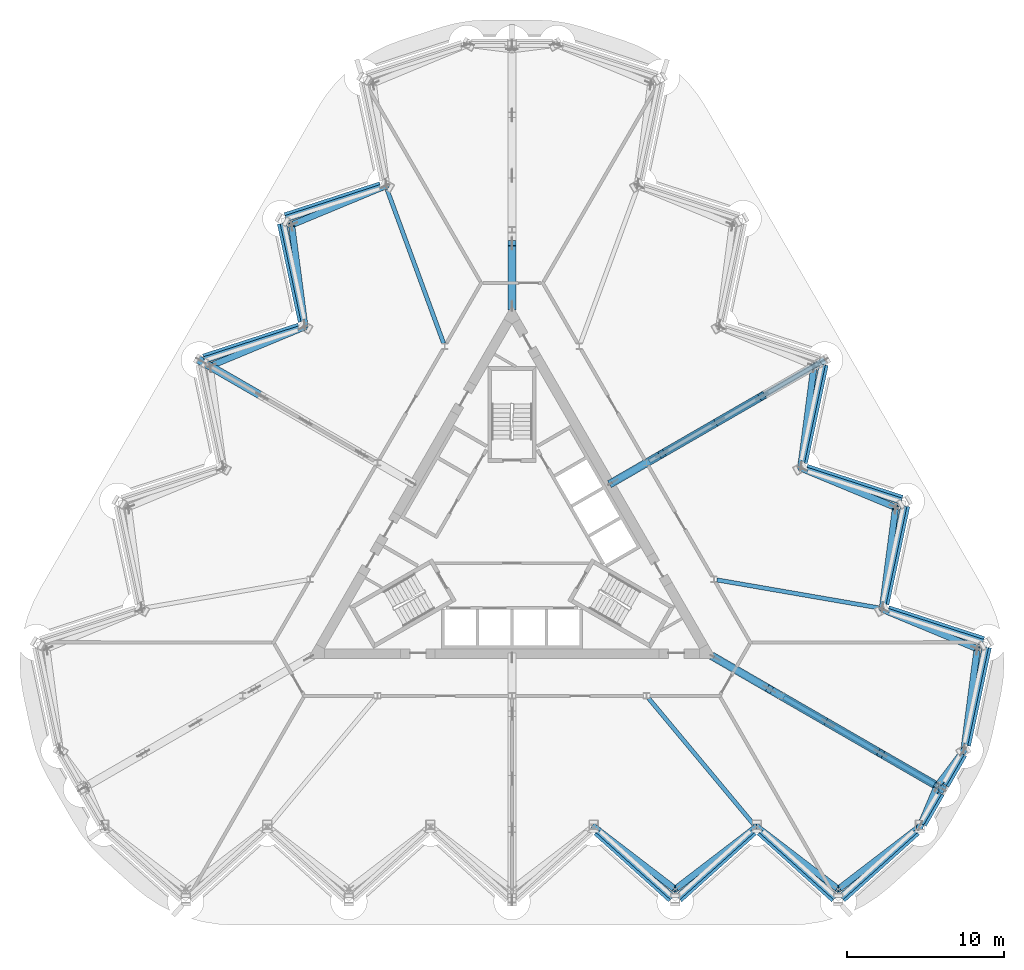
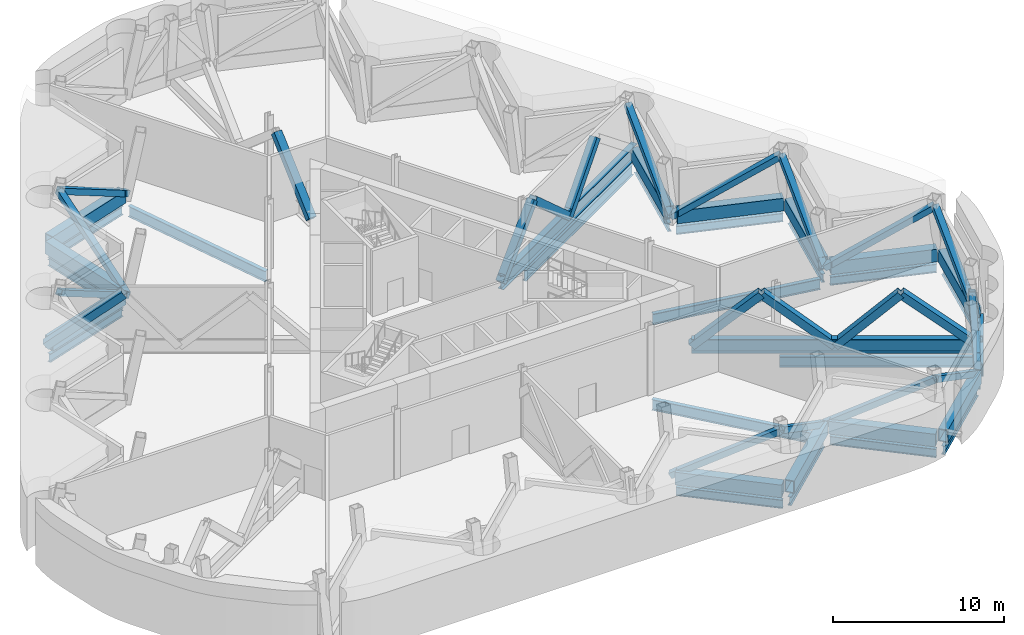
# One storey, part 5 of 16: 39 members, 19 beams.
"""IFC4 building model written with IfcOpenShell, lengths in metres."""

from ifc_helpers import new_model, si_unit, direction, frame, origin, origin_2d, place, context, subcontext, project, spatial, hollow_rectangle, i_section, extrude, material, material_profile, profile_set, type_object, element, save


model = new_model("IFC4")

# Units and contexts
model_context = context("Model", 3, precision=1e-05, world=origin(), true_north=direction((0.0, 1.0)))
body_context = subcontext(model_context, "Body", "Model", "MODEL_VIEW")
ifc_project = project(units=[si_unit("LENGTHUNIT", "METRE"), si_unit("AREAUNIT", "SQUARE_METRE"), si_unit("VOLUMEUNIT", "CUBIC_METRE"), si_unit("PLANEANGLEUNIT", "RADIAN"), si_unit("MASSUNIT", "GRAM", prefix="KILO")], contexts=[model_context])

# Site, building, storey
site_placement = place(None, origin())
site = spatial("IfcSite", under=ifc_project, at=site_placement, CompositionType="ELEMENT")
building_placement = place(site_placement, origin())
building = spatial("IfcBuilding", under=site, at=building_placement, Name="Cormorant Prow Tower", CompositionType="ELEMENT")
storey_placement = place(building_placement, frame((0.0, 0.0, 356.0)))
storey = spatial("IfcBuildingStorey", under=building, at=storey_placement, Name="L79", CompositionType="ELEMENT", Elevation=356.0)

# Members
ifc_material_1 = material(Name="Structural steel ASTM A572 Gr 50", Category="steel")
ifc_material_profile_1 = material_profile(ifc_material_1, hollow_rectangle(XDim=0.60009765625, YDim=0.89990234375, WallThickness=0.06005859375, at=origin_2d()), Name="Box 900x600x60")
ifc_profile_set_1 = profile_set([ifc_material_profile_1], Name="Structural steel ASTM A572 Gr 50")
member_type_1 = type_object("IfcMemberType", Name="Belt truss bottom chord 900x600x60", PredefinedType="CHORD", material=ifc_profile_set_1)
for number, where, z_axis, x_axis, name in (
    (1, (5.422119140625, -18.527587890625, 0.449951171875), (0.743144186555, -0.669131315954, 0.0), (0.669131315954, 0.743144186555, 0.0), "Belt truss bottom chord S06-S07 L79"),
    (2, (10.62109375, -22.807373046875, 0.449951171875), (0.743144186555, 0.669131315954, 0.0), (-0.669131315954, 0.743144186555, 0.0), "Belt truss bottom chord S07-S08 L79"),
):
    element("IfcMember", number, at=place(storey_placement, frame(where, z_axis=z_axis, x_axis=x_axis)), inside=storey, type_object=member_type_1, Name=name, PredefinedType="CHORD", context=body_context, shape_type="SweptSolid", body=[
        extrude(hollow_rectangle(XDim=0.60009765625, YDim=0.89990234375, WallThickness=0.06005859375, at=origin_2d()), origin(), (0.0, 0.0, 1.0), 6.39599609375),
    ])
member_1_placement = place(storey_placement, frame((15.820068359375, -18.527587890625, 0.449951171875), z_axis=(0.743161276225, -0.669112335502, 0.0), x_axis=(0.669112335502, 0.743161276225, 0.0)))
element("IfcMember", 3, at=member_1_placement, inside=storey, type_object=member_type_1, Name="Belt truss bottom chord S08-S09 L79", PredefinedType="CHORD", context=body_context, shape_type="SweptSolid", body=[
    extrude(hollow_rectangle(XDim=0.60009765625, YDim=0.89990234375, WallThickness=0.06005859375, at=origin_2d()), origin(), (0.0, 0.0, 1.0), 6.396240234375),
])
member_2_placement = place(storey_placement, frame((21.019287109375, -22.807373046875, 0.449951171875), z_axis=(0.743144186555, 0.669131315954, 0.0), x_axis=(-0.669131315954, 0.743144186555, 0.0)))
element("IfcMember", 4, at=member_2_placement, inside=storey, type_object=member_type_1, Name="Belt truss bottom chord S09-ESE00 L79", PredefinedType="CHORD", context=body_context, shape_type="SweptSolid", body=[
    extrude(hollow_rectangle(XDim=0.60009765625, YDim=0.89990234375, WallThickness=0.06005859375, at=origin_2d()), origin(), (0.0, 0.0, 1.0), 6.39599609375),
])
member_3_placement = place(storey_placement, frame((26.1455078125, -18.06689453125, 0.449951171875), z_axis=(0.49997342893, 0.866040744055, 0.0), x_axis=(-0.866040744055, 0.49997342893, 0.0)))
element("IfcMember", 5, at=member_3_placement, inside=storey, type_object=member_type_1, Name="Belt truss bottom chord ESE00-ESE01 L79", PredefinedType="CHORD", context=body_context, shape_type="SweptSolid", body=[
    extrude(hollow_rectangle(XDim=0.60009765625, YDim=0.89990234375, WallThickness=0.06005859375, at=origin_2d()), origin(), (0.0, 0.0, 1.0), 2.2734375),
])
member_4_placement = place(storey_placement, frame((27.582275390625, -15.578125, 0.449951171875), z_axis=(0.500053962254, 0.865994246421, 0.0), x_axis=(-0.865994246421, 0.500053962254, 0.0)))
element("IfcMember", 6, at=member_4_placement, inside=storey, type_object=member_type_1, Name="Belt truss bottom chord ESE01-ENE00 L79", PredefinedType="CHORD", context=body_context, shape_type="SweptSolid", body=[
    extrude(hollow_rectangle(XDim=0.60009765625, YDim=0.89990234375, WallThickness=0.06005859375, at=origin_2d()), origin(), (0.0, 0.0, 1.0), 2.273681640625),
])
member_5_placement = place(storey_placement, frame((28.931640625, -13.055908203125, 0.449951171875), z_axis=(0.20791262393, 0.978147402394, 0.0), x_axis=(-0.978147402394, 0.20791262393, 0.0)))
element("IfcMember", 7, at=member_5_placement, inside=storey, type_object=member_type_1, Name="Belt truss bottom chord ENE00-ENE01 L79", PredefinedType="CHORD", context=body_context, shape_type="SweptSolid", body=[
    extrude(hollow_rectangle(XDim=0.60009765625, YDim=0.89990234375, WallThickness=0.06005859375, at=origin_2d()), origin(), (0.0, 0.0, 1.0), 6.396240234375),
])
member_6_placement = place(storey_placement, frame((30.038330078125, -6.413330078125, 0.449951171875), z_axis=(-0.951064359156, 0.308992855489, 0.0), x_axis=(-0.308992855489, -0.951064359156, 0.0)))
element("IfcMember", 8, at=member_6_placement, inside=storey, type_object=member_type_1, Name="Belt truss bottom chord ENE01-ENE02 L79", PredefinedType="CHORD", context=body_context, shape_type="SweptSolid", body=[
    extrude(hollow_rectangle(XDim=0.60009765625, YDim=0.89990234375, WallThickness=0.06005859375, at=origin_2d()), origin(), (0.0, 0.0, 1.0), 6.39599609375),
])
member_7_placement = place(storey_placement, frame((23.732421875, -4.05078125, 0.449951171875), z_axis=(0.20791262393, 0.978147402394, 0.0), x_axis=(-0.978147402394, 0.20791262393, 0.0)))
element("IfcMember", 9, at=member_7_placement, inside=storey, type_object=member_type_1, Name="Belt truss bottom chord ENE02-ENE03 L79", PredefinedType="CHORD", context=body_context, shape_type="SweptSolid", body=[
    extrude(hollow_rectangle(XDim=0.60009765625, YDim=0.89990234375, WallThickness=0.06005859375, at=origin_2d()), origin(), (0.0, 0.0, 1.0), 6.396240234375),
])
member_8_placement = place(storey_placement, frame((24.83935546875, 2.591796875, 0.449951171875), z_axis=(-0.951064359156, 0.308992855489, 0.0), x_axis=(-0.308992855489, -0.951064359156, 0.0)))
element("IfcMember", 10, at=member_8_placement, inside=storey, type_object=member_type_1, Name="Belt truss bottom chord ENE03-ENE04 L79", PredefinedType="CHORD", context=body_context, shape_type="SweptSolid", body=[
    extrude(hollow_rectangle(XDim=0.60009765625, YDim=0.89990234375, WallThickness=0.06005859375, at=origin_2d()), origin(), (0.0, 0.0, 1.0), 6.39599609375),
])
member_9_placement = place(storey_placement, frame((18.533447265625, 4.954345703125, 0.449951171875), z_axis=(0.20791262393, 0.978147402394, 0.0), x_axis=(-0.978147402394, 0.20791262393, 0.0)))
element("IfcMember", 11, at=member_9_placement, inside=storey, type_object=member_type_1, Name="Belt truss bottom chord ENE04-ENE05 L79", PredefinedType="CHORD", context=body_context, shape_type="SweptSolid", body=[
    extrude(hollow_rectangle(XDim=0.60009765625, YDim=0.89990234375, WallThickness=0.06005859375, at=origin_2d()), origin(), (0.0, 0.0, 1.0), 6.396240234375),
])
for number, where, z_axis, x_axis, name in (
    (12, (-8.358154296875, 22.578369140625, 0.449951171875), (-0.95105314132, -0.309027381286, 0.0), (0.309027381286, -0.95105314132, 0.0), "Belt truss bottom chord WNW02-WNW03 L79"),
    (13, (-14.6640625, 20.215576171875, 0.449951171875), (0.207920386839, -0.978145752297, 0.0), (0.978145752297, 0.207920386839, 0.0), "Belt truss bottom chord WNW03-WNW04 L79"),
    (14, (-13.557373046875, 13.5732421875, 0.449951171875), (-0.95105314132, -0.309027381286, 0.0), (0.309027381286, -0.95105314132, 0.0), "Belt truss bottom chord WNW04-WNW05 L79"),
):
    element("IfcMember", number, at=place(storey_placement, frame(where, z_axis=z_axis, x_axis=x_axis)), inside=storey, type_object=member_type_1, Name=name, PredefinedType="CHORD", context=body_context, shape_type="SweptSolid", body=[
        extrude(hollow_rectangle(XDim=0.60009765625, YDim=0.89990234375, WallThickness=0.06005859375, at=origin_2d()), origin(), (0.0, 0.0, 1.0), 6.39599609375),
    ])
ifc_material_2 = material(Name="Structural steel ASTM A500 Gr C", Category="steel")
ifc_material_profile_2 = material_profile(ifc_material_2, hollow_rectangle(XDim=0.406494140625, YDim=0.406494140625, WallThickness=0.014892578125, at=origin_2d()), Name="HSS16x16x5/8")
ifc_profile_set_2 = profile_set([ifc_material_profile_2], Name="Structural steel ASTM A500 Gr C")
member_type_2 = type_object("IfcMemberType", Name="Belt truss diagonal HSS16x16x5/8", PredefinedType="BRACE", material=ifc_profile_set_2)
member_10_placement = place(storey_placement, frame((15.597412109375, -18.243896484375, 0.449951171875), z_axis=(-0.686577955675, -0.525978696903, 0.501953305781), x_axis=(0.60814187437, -0.793828357164, 0.0)))
element("IfcMember", 15, at=member_10_placement, inside=storey, type_object=member_type_2, Name="Belt truss diagonal S07-S08 L79", PredefinedType="BRACE", context=body_context, shape_type="SweptSolid", body=[
    extrude(hollow_rectangle(XDim=0.406494140625, YDim=0.406494140625, WallThickness=0.014892578125, at=origin_2d()), origin(), (0.0, 0.0, 1.0), 7.570556640625),
])
member_11_placement = place(storey_placement, frame((25.995849609375, -18.243896484375, 0.449951171875), z_axis=(-0.686475652775, -0.526048576243, 0.502019993208), x_axis=(0.608249890399, -0.793745595786, 0.0)))
element("IfcMember", 16, at=member_11_placement, inside=storey, type_object=member_type_2, Name="Belt truss diagonal S09-ESE00 L79", PredefinedType="BRACE", context=body_context, shape_type="SweptSolid", body=[
    extrude(hollow_rectangle(XDim=0.406494140625, YDim=0.406494140625, WallThickness=0.014892578125, at=origin_2d()), origin(), (0.0, 0.0, 1.0), 7.569580078125),
])
member_12_placement = place(storey_placement, frame((28.797607421875, -13.39111328125, 0.449951171875), z_axis=(-0.359402475461, -0.47590271826, 0.802711942969), x_axis=(0.798003175546, -0.602653243431, 0.0)))
element("IfcMember", 17, at=member_12_placement, inside=storey, type_object=member_type_2, Name="Belt truss diagonal ESE01-ENE00 L79", PredefinedType="BRACE", context=body_context, shape_type="SweptSolid", body=[
    extrude(hollow_rectangle(XDim=0.406494140625, YDim=0.406494140625, WallThickness=0.014892578125, at=origin_2d()), origin(), (0.0, 0.0, 1.0), 4.734130859375),
])
member_13_placement = place(storey_placement, frame((23.598388671875, -4.3857421875, 0.449951171875), z_axis=(0.798775482121, -0.331966177605, 0.501753112685), x_axis=(0.383771102988, 0.923428254122, 0.0)))
element("IfcMember", 18, at=member_13_placement, inside=storey, type_object=member_type_2, Name="Belt truss diagonal ENE01-ENE02 L79", PredefinedType="BRACE", context=body_context, shape_type="SweptSolid", body=[
    extrude(hollow_rectangle(XDim=0.406494140625, YDim=0.406494140625, WallThickness=0.014892578125, at=origin_2d()), origin(), (0.0, 0.0, 1.0), 7.573486328125),
])
for number, where, z_axis, x_axis, name in (
    (19, (18.399169921875, 4.619384765625, 0.449951171875), (0.798783211164, -0.331848385232, 0.501818723029), (0.383651809402, 0.923477822767, 0.0), "Belt truss diagonal ENE03-ENE04 L79"),
    (20, (-13.2001953125, 13.62451171875, 0.449951171875), (-0.112002907582, 0.857689507886, 0.501820741655), (-0.991581070661, -0.129487375088, 0.0), "Belt truss diagonal WNW03-WNW04 L79"),
):
    element("IfcMember", number, at=place(storey_placement, frame(where, z_axis=z_axis, x_axis=x_axis)), inside=storey, type_object=member_type_2, Name=name, PredefinedType="BRACE", context=body_context, shape_type="SweptSolid", body=[
        extrude(hollow_rectangle(XDim=0.406494140625, YDim=0.406494140625, WallThickness=0.014892578125, at=origin_2d()), origin(), (0.0, 0.0, 1.0), 7.572509765625),
    ])
ifc_material_3 = material(Name="Structural steel ASTM A500 Gr C", Category="steel")
ifc_material_profile_3 = material_profile(ifc_material_3, hollow_rectangle(XDim=0.406494140625, YDim=0.406494140625, WallThickness=0.014892578125, at=origin_2d()), Name="HSS16x16x5/8")
ifc_profile_set_3 = profile_set([ifc_material_profile_3], Name="Structural steel ASTM A500 Gr C")
member_type_3 = type_object("IfcMemberType", Name="Belt truss strut HSS16x16x5/8", PredefinedType="STRUT", material=ifc_profile_set_3)
member_14_placement = place(storey_placement, frame((5.19921875, -18.243896484375, 0.449951171875), z_axis=(0.686765405131, -0.525850605966, 0.501831065718), x_axis=(0.607943915377, 0.793979971886, 0.0)))
element("IfcMember", 21, at=member_14_placement, inside=storey, type_object=member_type_3, Name="Belt truss strut S06-S07 L79", PredefinedType="STRUT", context=body_context, shape_type="SweptSolid", body=[
    extrude(hollow_rectangle(XDim=0.406494140625, YDim=0.406494140625, WallThickness=0.014892578125, at=origin_2d()), origin(), (0.0, 0.0, 1.0), 7.572265625),
])
member_15_placement = place(storey_placement, frame((15.597412109375, -18.243896484375, 0.449951171875), z_axis=(0.686884619855, -0.525769107839, 0.501753290222), x_axis=(0.607817988899, 0.794076376913, 0.0)))
element("IfcMember", 22, at=member_15_placement, inside=storey, type_object=member_type_3, Name="Belt truss strut S08-S09 L79", PredefinedType="STRUT", context=body_context, shape_type="SweptSolid", body=[
    extrude(hollow_rectangle(XDim=0.406494140625, YDim=0.406494140625, WallThickness=0.014892578125, at=origin_2d()), origin(), (0.0, 0.0, 1.0), 7.573486328125),
])
member_16_placement = place(storey_placement, frame((25.995849609375, -18.243896484375, 0.449951171875), z_axis=(0.232435885617, 0.549192311058, 0.80272122468), x_axis=(-0.92091591985, 0.389761296907, 0.0)))
element("IfcMember", 23, at=member_16_placement, inside=storey, type_object=member_type_3, Name="Belt truss strut ESE00-ESE01 L79", PredefinedType="STRUT", context=body_context, shape_type="SweptSolid", body=[
    extrude(hollow_rectangle(XDim=0.406494140625, YDim=0.406494140625, WallThickness=0.014892578125, at=origin_2d()), origin(), (0.0, 0.0, 1.0), 4.73388671875),
])
member_17_placement = place(storey_placement, frame((28.797607421875, -13.39111328125, 0.449951171875), z_axis=(0.112336005129, 0.857533650408, 0.502012609771), x_axis=(-0.991528515957, 0.129889191405, 0.0)))
element("IfcMember", 24, at=member_17_placement, inside=storey, type_object=member_type_3, Name="Belt truss strut ENE00-ENE01 L79", PredefinedType="STRUT", context=body_context, shape_type="SweptSolid", body=[
    extrude(hollow_rectangle(XDim=0.406494140625, YDim=0.406494140625, WallThickness=0.014892578125, at=origin_2d()), origin(), (0.0, 0.0, 1.0), 7.569580078125),
])
member_18_placement = place(storey_placement, frame((23.598388671875, -4.3857421875, 0.449951171875), z_axis=(0.112228050212, 0.857577100932, 0.501962529182), x_axis=(-0.991545430458, 0.129760006694, 0.0)))
element("IfcMember", 25, at=member_18_placement, inside=storey, type_object=member_type_3, Name="Belt truss strut ENE02-ENE03 L79", PredefinedType="STRUT", context=body_context, shape_type="SweptSolid", body=[
    extrude(hollow_rectangle(XDim=0.406494140625, YDim=0.406494140625, WallThickness=0.014892578125, at=origin_2d()), origin(), (0.0, 0.0, 1.0), 7.5703125),
])
member_19_placement = place(storey_placement, frame((18.399169921875, 4.619384765625, 0.449951171875), z_axis=(0.112113913946, 0.857637585027, 0.501884690989), x_axis=(-0.991563576483, 0.1296212706, 0.0)))
element("IfcMember", 26, at=member_19_placement, inside=storey, type_object=member_type_3, Name="Belt truss strut ENE04-ENE05 L79", PredefinedType="STRUT", context=body_context, shape_type="SweptSolid", body=[
    extrude(hollow_rectangle(XDim=0.406494140625, YDim=0.406494140625, WallThickness=0.014892578125, at=origin_2d()), origin(), (0.0, 0.0, 1.0), 7.571533203125),
])
member_20_placement = place(storey_placement, frame((-8.0009765625, 22.6298828125, 0.449951171875), z_axis=(-0.798798631577, -0.331612689887, 0.501949967723), x_axis=(0.383413077879, -0.923576965776, 0.0)))
element("IfcMember", 27, at=member_20_placement, inside=storey, type_object=member_type_3, Name="Belt truss strut WNW02-WNW03 L79", PredefinedType="STRUT", context=body_context, shape_type="SweptSolid", body=[
    extrude(hollow_rectangle(XDim=0.406494140625, YDim=0.406494140625, WallThickness=0.014892578125, at=origin_2d()), origin(), (0.0, 0.0, 1.0), 7.570556640625),
])
member_21_placement = place(storey_placement, frame((-13.2001953125, 13.62451171875, 0.449951171875), z_axis=(-0.798787801152, -0.331710403296, 0.501902637047), x_axis=(0.383513875385, -0.923535114323, 0.0)))
element("IfcMember", 28, at=member_21_placement, inside=storey, type_object=member_type_3, Name="Belt truss strut WNW04-WNW05 L79", PredefinedType="STRUT", context=body_context, shape_type="SweptSolid", body=[
    extrude(hollow_rectangle(XDim=0.406494140625, YDim=0.406494140625, WallThickness=0.014892578125, at=origin_2d()), origin(), (0.0, 0.0, 1.0), 7.5712890625),
])
ifc_material_4 = material(Name="Structural steel ASTM A992 Gr 50", Category="steel")
ifc_material_profile_4 = material_profile(ifc_material_4, i_section(OverallWidth=0.39990234375, OverallDepth=1.000244140625, WebThickness=0.01904296875, FlangeThickness=0.0361328125, at=origin_2d()), Name="W40x249")
ifc_profile_set_4 = profile_set([ifc_material_profile_4], Name="Structural steel ASTM A992 Gr 50")
member_type_4 = type_object("IfcMemberType", Name="Outrigger chord W40x249", PredefinedType="CHORD", material=ifc_profile_set_4)
member_22_placement = place(storey_placement, frame((12.8701171875, -7.430419921875, 0.500244140625), z_axis=(0.86602044652, -0.500008586136, 0.0), x_axis=(0.500008586136, 0.86602044652, 0.0)))
element("IfcMember", 29, at=member_22_placement, inside=storey, type_object=member_type_4, Name="Outrigger bottom chord 5 L79", PredefinedType="CHORD", context=body_context, shape_type="SweptSolid", body=[
    extrude(i_section(OverallWidth=0.39990234375, OverallDepth=1.000244140625, WebThickness=0.01904296875, FlangeThickness=0.0361328125, at=origin_2d()), origin(), (0.0, 0.0, 1.0), 16.815185546875),
])
member_23_placement = place(storey_placement, frame((6.3701171875, 3.677734375, 0.500244140625), z_axis=(0.866020128902, 0.500009136254, 0.0), x_axis=(-0.500009136254, 0.866020128902, 0.0)))
element("IfcMember", 30, at=member_23_placement, inside=storey, type_object=member_type_4, Name="Outrigger bottom chord 6 L79", PredefinedType="CHORD", context=body_context, shape_type="SweptSolid", body=[
    extrude(i_section(OverallWidth=0.39990234375, OverallDepth=1.000244140625, WebThickness=0.01904296875, FlangeThickness=0.0361328125, at=origin_2d()), origin(), (0.0, 0.0, 1.0), 15.652587890625),
])
ifc_material_5 = material(Name="Structural steel ASTM A500 Gr C", Category="steel")
ifc_material_profile_5 = material_profile(ifc_material_5, hollow_rectangle(XDim=0.508056640625, YDim=0.508056640625, WallThickness=0.014892578125, at=origin_2d()), Name="HSS20x20x5/8")
ifc_profile_set_5 = profile_set([ifc_material_profile_5], Name="Structural steel ASTM A500 Gr C")
member_type_5 = type_object("IfcMemberType", Name="Outrigger diagonal HSS20x20x5/8", PredefinedType="BRACE", material=ifc_profile_set_5)
member_24_placement = place(storey_placement, frame((0.0, 14.861083984375, 0.500244140625), z_axis=(0.0, 0.741572485965, 0.670872751019), x_axis=(-1.0, 0.0, 0.0)))
element("IfcMember", 31, at=member_24_placement, inside=storey, type_object=member_type_5, Name="Outrigger diagonal 1.1 L79", PredefinedType="BRACE", context=body_context, shape_type="SweptSolid", body=[
    extrude(hollow_rectangle(XDim=0.508056640625, YDim=0.508056640625, WallThickness=0.014892578125, at=origin_2d()), origin(), (0.0, 0.0, 1.0), 5.5146484375),
])
member_25_placement = place(storey_placement, frame((12.8701171875, -7.430419921875, 0.500244140625), z_axis=(0.642220762816, -0.370803137061, 0.670863268747), x_axis=(0.500016997476, 0.866015590065, 0.0)))
element("IfcMember", 32, at=member_25_placement, inside=storey, type_object=member_type_5, Name="Outrigger diagonal 5.1 L79", PredefinedType="BRACE", context=body_context, shape_type="SweptSolid", body=[
    extrude(hollow_rectangle(XDim=0.508056640625, YDim=0.508056640625, WallThickness=0.014892578125, at=origin_2d()), origin(), (0.0, 0.0, 1.0), 5.514892578125),
])
member_26_placement = place(storey_placement, frame((20.151123046875, -11.63427734375, 0.500244140625), z_axis=(0.625317769271, -0.361028905555, 0.691835108091), x_axis=(0.500001582084, 0.866024490366, 0.0)))
element("IfcMember", 33, at=member_26_placement, inside=storey, type_object=member_type_5, Name="Outrigger diagonal 5.3 L79", PredefinedType="BRACE", context=body_context, shape_type="SweptSolid", body=[
    extrude(hollow_rectangle(XDim=0.508056640625, YDim=0.508056640625, WallThickness=0.014892578125, at=origin_2d()), origin(), (0.0, 0.0, 1.0), 5.34765625),
])
member_27_placement = place(storey_placement, frame((6.3701171875, 3.677734375, 0.500244140625), z_axis=(0.610997988264, 0.352756052466, 0.708692193965), x_axis=(-0.499995959843, 0.866027736358, 0.0)))
element("IfcMember", 34, at=member_27_placement, inside=storey, type_object=member_type_5, Name="Outrigger diagonal 6.1 L79", PredefinedType="BRACE", context=body_context, shape_type="SweptSolid", body=[
    extrude(hollow_rectangle(XDim=0.508056640625, YDim=0.508056640625, WallThickness=0.014892578125, at=origin_2d()), origin(), (0.0, 0.0, 1.0), 5.220458984375),
])
member_28_placement = place(storey_placement, frame((13.14794921875, 7.5908203125, 0.500244140625), z_axis=(0.568828352367, 0.32844961109, 0.75402596674), x_axis=(-0.500041571731, 0.866001401004, 0.0)))
element("IfcMember", 35, at=member_28_placement, inside=storey, type_object=member_type_5, Name="Outrigger diagonal 6.3 L79", PredefinedType="BRACE", context=body_context, shape_type="SweptSolid", body=[
    extrude(hollow_rectangle(XDim=0.508056640625, YDim=0.508056640625, WallThickness=0.014892578125, at=origin_2d()), origin(), (0.0, 0.0, 1.0), 4.906494140625),
])
ifc_material_6 = material(Name="Structural steel ASTM A500 Gr C", Category="steel")
ifc_material_profile_6 = material_profile(ifc_material_6, hollow_rectangle(XDim=0.508056640625, YDim=0.508056640625, WallThickness=0.014892578125, at=origin_2d()), Name="HSS20x20x5/8")
ifc_profile_set_6 = profile_set([ifc_material_profile_6], Name="Structural steel ASTM A500 Gr C")
member_type_6 = type_object("IfcMemberType", Name="Outrigger strut HSS20x20x5/8", PredefinedType="STRUT", material=ifc_profile_set_6)
member_29_placement = place(storey_placement, frame((-15.93896484375, 9.202392578125, 4.199951171875), z_axis=(-0.675024636237, 0.389744152761, -0.626451303664), x_axis=(-0.500017798088, -0.866015127809, 0.0)))
element("IfcMember", 36, at=member_29_placement, inside=storey, type_object=member_type_6, Name="Outrigger strut 2.4 L79", PredefinedType="STRUT", context=body_context, shape_type="SweptSolid", body=[
    extrude(hollow_rectangle(XDim=0.508056640625, YDim=0.508056640625, WallThickness=0.014892578125, at=origin_2d()), origin(), (0.0, 0.0, 1.0), 5.90576171875),
])
member_30_placement = place(storey_placement, frame((16.411865234375, -9.475341796875, 4.199951171875), z_axis=(0.657622435723, -0.379691512085, -0.650666648664), x_axis=(0.500012861172, 0.866017978256, 0.0)))
element("IfcMember", 37, at=member_30_placement, inside=storey, type_object=member_type_6, Name="Outrigger strut 5.2 L79", PredefinedType="STRUT", context=body_context, shape_type="SweptSolid", body=[
    extrude(hollow_rectangle(XDim=0.508056640625, YDim=0.508056640625, WallThickness=0.014892578125, at=origin_2d()), origin(), (0.0, 0.0, 1.0), 5.68603515625),
])
member_31_placement = place(storey_placement, frame((23.4951171875, -13.56494140625, 4.199951171875), z_axis=(0.671714317955, -0.387817449896, -0.631187373615), x_axis=(0.500002908219, 0.866023724717, 0.0)))
element("IfcMember", 38, at=member_31_placement, inside=storey, type_object=member_type_6, Name="Outrigger strut 5.4 L79", PredefinedType="STRUT", context=body_context, shape_type="SweptSolid", body=[
    extrude(hollow_rectangle(XDim=0.508056640625, YDim=0.508056640625, WallThickness=0.014892578125, at=origin_2d()), origin(), (0.0, 0.0, 1.0), 5.861572265625),
])
member_32_placement = place(storey_placement, frame((9.559814453125, 5.519287109375, 4.199951171875), z_axis=(0.645973147699, 0.37293884182, -0.666059541418), x_axis=(-0.499985994451, 0.866033489741, 0.0)))
element("IfcMember", 39, at=member_32_placement, inside=storey, type_object=member_type_6, Name="Outrigger strut 6.2 L79", PredefinedType="STRUT", context=body_context, shape_type="SweptSolid", body=[
    extrude(hollow_rectangle(XDim=0.508056640625, YDim=0.508056640625, WallThickness=0.014892578125, at=origin_2d()), origin(), (0.0, 0.0, 1.0), 5.5546875),
])

# Beams
ifc_material_7 = material(Name="Structural steel ASTM A992 Gr 50", Category="steel")
ifc_material_profile_7 = material_profile(ifc_material_7, i_section(OverallWidth=0.267822265625, OverallDepth=0.77001953125, WebThickness=0.015625, FlangeThickness=0.025390625, at=origin_2d()), Name="W30x132")
ifc_profile_set_7 = profile_set([ifc_material_profile_7], Name="Structural steel ASTM A992 Gr 50")
beam_type_1 = type_object("IfcBeamType", Name="Radial floor beam W30x132", PredefinedType="BEAM", material=ifc_profile_set_7)
for number, where, z_axis, x_axis, name in (
    (40, (-4.357421875, 12.5673828125, -0.68505859375), (-0.345131226703, 0.938554439739, 0.0), (-0.938554439739, -0.345131226703, 0.0), "Radial floor beam FB3 2 L79"),
    (41, (8.705078125, -10.057373046875, -0.68505859375), (0.640239469619, -0.768175384624, 0.0), (0.768175384624, 0.640239469619, 0.0), "Radial floor beam FB3 8 L79"),
):
    element("IfcBeam", number, at=place(storey_placement, frame(where, z_axis=z_axis, x_axis=x_axis)), inside=storey, type_object=beam_type_1, Name=name, PredefinedType="BEAM", context=body_context, shape_type="SweptSolid", body=[
        extrude(i_section(OverallWidth=0.267822265625, OverallDepth=0.77001953125, WebThickness=0.015625, FlangeThickness=0.025390625, at=origin_2d()), origin(), (0.0, 0.0, 1.0), 10.465087890625),
    ])
beam_1_placement = place(storey_placement, frame((17.328125, -10.00439453125, -0.68505859375), z_axis=(0.866024637028, -0.500001328059, 0.0), x_axis=(0.500001328059, 0.866024637028, 0.0)))
element("IfcBeam", 42, at=beam_1_placement, inside=storey, type_object=beam_type_1, Name="Radial floor beam FB3 9 L79", PredefinedType="BEAM", context=body_context, shape_type="SweptSolid", body=[
    extrude(i_section(OverallWidth=0.267822265625, OverallDepth=0.77001953125, WebThickness=0.015625, FlangeThickness=0.025390625, at=origin_2d()), origin(), (0.0, 0.0, 1.0), 11.3671875),
])
beam_2_placement = place(storey_placement, frame((13.0625, -2.510009765625, -0.68505859375), z_axis=(0.985379592304, -0.170373293304, 0.0), x_axis=(0.170373293304, 0.985379592304, 0.0)))
element("IfcBeam", 43, at=beam_2_placement, inside=storey, type_object=beam_type_1, Name="Radial floor beam FB3 10 L79", PredefinedType="BEAM", context=body_context, shape_type="SweptSolid", body=[
    extrude(i_section(OverallWidth=0.267822265625, OverallDepth=0.77001953125, WebThickness=0.015625, FlangeThickness=0.025390625, at=origin_2d()), origin(), (0.0, 0.0, 1.0), 10.465087890625),
])
beam_3_placement = place(storey_placement, frame((8.749755859375, 5.051513671875, -0.68505859375), z_axis=(0.866021086443, 0.50000747778, 0.0), x_axis=(-0.50000747778, 0.866021086443, 0.0)))
element("IfcBeam", 44, at=beam_3_placement, inside=storey, type_object=beam_type_1, Name="Radial floor beam FB3 11 L79", PredefinedType="BEAM", context=body_context, shape_type="SweptSolid", body=[
    extrude(i_section(OverallWidth=0.267822265625, OverallDepth=0.77001953125, WebThickness=0.015625, FlangeThickness=0.025390625, at=origin_2d()), origin(), (0.0, 0.0, 1.0), 12.604736328125),
])
ifc_material_8 = material(Name="Structural steel ASTM A992 Gr 50", Category="steel")
ifc_material_profile_8 = material_profile(ifc_material_8, i_section(OverallWidth=0.22900390625, OverallDepth=0.612060546875, WebThickness=0.011962890625, FlangeThickness=0.01953125, at=origin_2d()), Name="W24x84")
ifc_profile_set_8 = profile_set([ifc_material_profile_8], Name="Structural steel ASTM A992 Gr 50")
beam_type_2 = type_object("IfcBeamType", Name="Spandrel beam W24x84", PredefinedType="SPANDREL", material=ifc_profile_set_8)
for number, where, z_axis, x_axis, name in (
    (45, (5.422119140625, -18.527587890625, -0.60595703125), (0.743144186555, -0.669131315954, 0.0), (0.669131315954, 0.743144186555, 0.0), "Spandrel beam SB3 S06-S07 L79"),
    (46, (10.62109375, -22.807373046875, -0.60595703125), (0.743144186555, 0.669131315954, 0.0), (-0.669131315954, 0.743144186555, 0.0), "Spandrel beam SB3 S07-S08 L79"),
):
    element("IfcBeam", number, at=place(storey_placement, frame(where, z_axis=z_axis, x_axis=x_axis)), inside=storey, type_object=beam_type_2, Name=name, PredefinedType="SPANDREL", context=body_context, shape_type="SweptSolid", body=[
        extrude(i_section(OverallWidth=0.22900390625, OverallDepth=0.612060546875, WebThickness=0.011962890625, FlangeThickness=0.01953125, at=origin_2d()), origin(), (0.0, 0.0, 1.0), 6.39599609375),
    ])
beam_4_placement = place(storey_placement, frame((15.820068359375, -18.527587890625, -0.60595703125), z_axis=(0.743161276225, -0.669112335502, 0.0), x_axis=(0.669112335502, 0.743161276225, 0.0)))
element("IfcBeam", 47, at=beam_4_placement, inside=storey, type_object=beam_type_2, Name="Spandrel beam SB3 S08-S09 L79", PredefinedType="SPANDREL", context=body_context, shape_type="SweptSolid", body=[
    extrude(i_section(OverallWidth=0.22900390625, OverallDepth=0.612060546875, WebThickness=0.011962890625, FlangeThickness=0.01953125, at=origin_2d()), origin(), (0.0, 0.0, 1.0), 6.396240234375),
])
beam_5_placement = place(storey_placement, frame((21.019287109375, -22.807373046875, -0.60595703125), z_axis=(0.743144186555, 0.669131315954, 0.0), x_axis=(-0.669131315954, 0.743144186555, 0.0)))
element("IfcBeam", 48, at=beam_5_placement, inside=storey, type_object=beam_type_2, Name="Spandrel beam SB3 S09-ESE00 L79", PredefinedType="SPANDREL", context=body_context, shape_type="SweptSolid", body=[
    extrude(i_section(OverallWidth=0.22900390625, OverallDepth=0.612060546875, WebThickness=0.011962890625, FlangeThickness=0.01953125, at=origin_2d()), origin(), (0.0, 0.0, 1.0), 6.39599609375),
])
beam_6_placement = place(storey_placement, frame((26.1455078125, -18.06689453125, -0.60595703125), z_axis=(0.49997342893, 0.866040744055, 0.0), x_axis=(-0.866040744055, 0.49997342893, 0.0)))
element("IfcBeam", 49, at=beam_6_placement, inside=storey, type_object=beam_type_2, Name="Spandrel beam SB3 ESE00-ESE01 L79", PredefinedType="SPANDREL", context=body_context, shape_type="SweptSolid", body=[
    extrude(i_section(OverallWidth=0.22900390625, OverallDepth=0.612060546875, WebThickness=0.011962890625, FlangeThickness=0.01953125, at=origin_2d()), origin(), (0.0, 0.0, 1.0), 2.2734375),
])
beam_7_placement = place(storey_placement, frame((27.582275390625, -15.578125, -0.60595703125), z_axis=(0.500053962254, 0.865994246421, 0.0), x_axis=(-0.865994246421, 0.500053962254, 0.0)))
element("IfcBeam", 50, at=beam_7_placement, inside=storey, type_object=beam_type_2, Name="Spandrel beam SB3 ESE01-ENE00 L79", PredefinedType="SPANDREL", context=body_context, shape_type="SweptSolid", body=[
    extrude(i_section(OverallWidth=0.22900390625, OverallDepth=0.612060546875, WebThickness=0.011962890625, FlangeThickness=0.01953125, at=origin_2d()), origin(), (0.0, 0.0, 1.0), 2.273681640625),
])
beam_8_placement = place(storey_placement, frame((28.931640625, -13.055908203125, -0.60595703125), z_axis=(0.20791262393, 0.978147402394, 0.0), x_axis=(-0.978147402394, 0.20791262393, 0.0)))
element("IfcBeam", 51, at=beam_8_placement, inside=storey, type_object=beam_type_2, Name="Spandrel beam SB3 ENE00-ENE01 L79", PredefinedType="SPANDREL", context=body_context, shape_type="SweptSolid", body=[
    extrude(i_section(OverallWidth=0.22900390625, OverallDepth=0.612060546875, WebThickness=0.011962890625, FlangeThickness=0.01953125, at=origin_2d()), origin(), (0.0, 0.0, 1.0), 6.396240234375),
])
beam_9_placement = place(storey_placement, frame((30.038330078125, -6.413330078125, -0.60595703125), z_axis=(-0.951064359156, 0.308992855489, 0.0), x_axis=(-0.308992855489, -0.951064359156, 0.0)))
element("IfcBeam", 52, at=beam_9_placement, inside=storey, type_object=beam_type_2, Name="Spandrel beam SB3 ENE01-ENE02 L79", PredefinedType="SPANDREL", context=body_context, shape_type="SweptSolid", body=[
    extrude(i_section(OverallWidth=0.22900390625, OverallDepth=0.612060546875, WebThickness=0.011962890625, FlangeThickness=0.01953125, at=origin_2d()), origin(), (0.0, 0.0, 1.0), 6.39599609375),
])
beam_10_placement = place(storey_placement, frame((23.732421875, -4.05078125, -0.60595703125), z_axis=(0.20791262393, 0.978147402394, 0.0), x_axis=(-0.978147402394, 0.20791262393, 0.0)))
element("IfcBeam", 53, at=beam_10_placement, inside=storey, type_object=beam_type_2, Name="Spandrel beam SB3 ENE02-ENE03 L79", PredefinedType="SPANDREL", context=body_context, shape_type="SweptSolid", body=[
    extrude(i_section(OverallWidth=0.22900390625, OverallDepth=0.612060546875, WebThickness=0.011962890625, FlangeThickness=0.01953125, at=origin_2d()), origin(), (0.0, 0.0, 1.0), 6.396240234375),
])
beam_11_placement = place(storey_placement, frame((24.83935546875, 2.591796875, -0.60595703125), z_axis=(-0.951064359156, 0.308992855489, 0.0), x_axis=(-0.308992855489, -0.951064359156, 0.0)))
element("IfcBeam", 54, at=beam_11_placement, inside=storey, type_object=beam_type_2, Name="Spandrel beam SB3 ENE03-ENE04 L79", PredefinedType="SPANDREL", context=body_context, shape_type="SweptSolid", body=[
    extrude(i_section(OverallWidth=0.22900390625, OverallDepth=0.612060546875, WebThickness=0.011962890625, FlangeThickness=0.01953125, at=origin_2d()), origin(), (0.0, 0.0, 1.0), 6.39599609375),
])
beam_12_placement = place(storey_placement, frame((18.533447265625, 4.954345703125, -0.60595703125), z_axis=(0.20791262393, 0.978147402394, 0.0), x_axis=(-0.978147402394, 0.20791262393, 0.0)))
element("IfcBeam", 55, at=beam_12_placement, inside=storey, type_object=beam_type_2, Name="Spandrel beam SB3 ENE04-ENE05 L79", PredefinedType="SPANDREL", context=body_context, shape_type="SweptSolid", body=[
    extrude(i_section(OverallWidth=0.22900390625, OverallDepth=0.612060546875, WebThickness=0.011962890625, FlangeThickness=0.01953125, at=origin_2d()), origin(), (0.0, 0.0, 1.0), 6.396240234375),
])
for number, where, z_axis, x_axis, name in (
    (56, (-8.358154296875, 22.578369140625, -0.60595703125), (-0.95105314132, -0.309027381286, 0.0), (0.309027381286, -0.95105314132, 0.0), "Spandrel beam SB3 WNW02-WNW03 L79"),
    (57, (-14.6640625, 20.215576171875, -0.60595703125), (0.207920386839, -0.978145752297, 0.0), (0.978145752297, 0.207920386839, 0.0), "Spandrel beam SB3 WNW03-WNW04 L79"),
    (58, (-13.557373046875, 13.5732421875, -0.60595703125), (-0.95105314132, -0.309027381286, 0.0), (0.309027381286, -0.95105314132, 0.0), "Spandrel beam SB3 WNW04-WNW05 L79"),
):
    element("IfcBeam", number, at=place(storey_placement, frame(where, z_axis=z_axis, x_axis=x_axis)), inside=storey, type_object=beam_type_2, Name=name, PredefinedType="SPANDREL", context=body_context, shape_type="SweptSolid", body=[
        extrude(i_section(OverallWidth=0.22900390625, OverallDepth=0.612060546875, WebThickness=0.011962890625, FlangeThickness=0.01953125, at=origin_2d()), origin(), (0.0, 0.0, 1.0), 6.39599609375),
    ])

save(model, "model.ifc")
